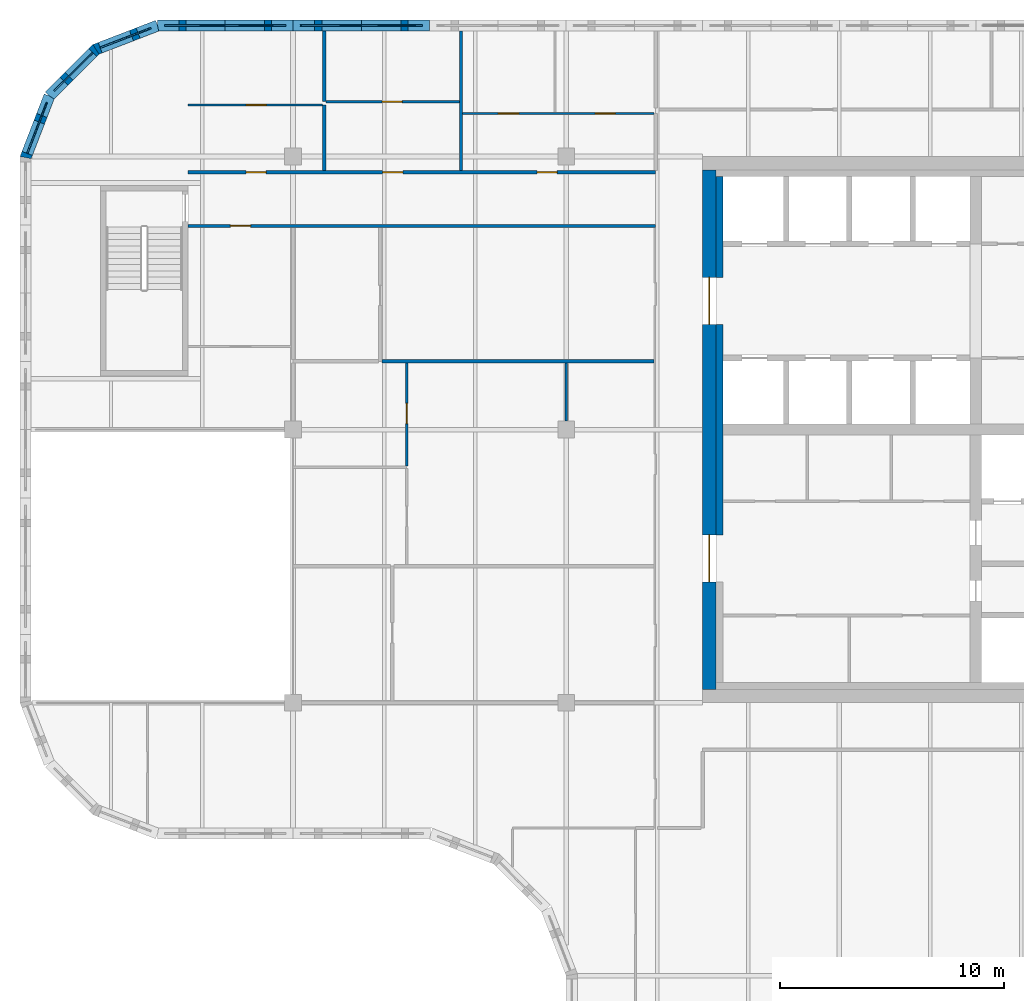
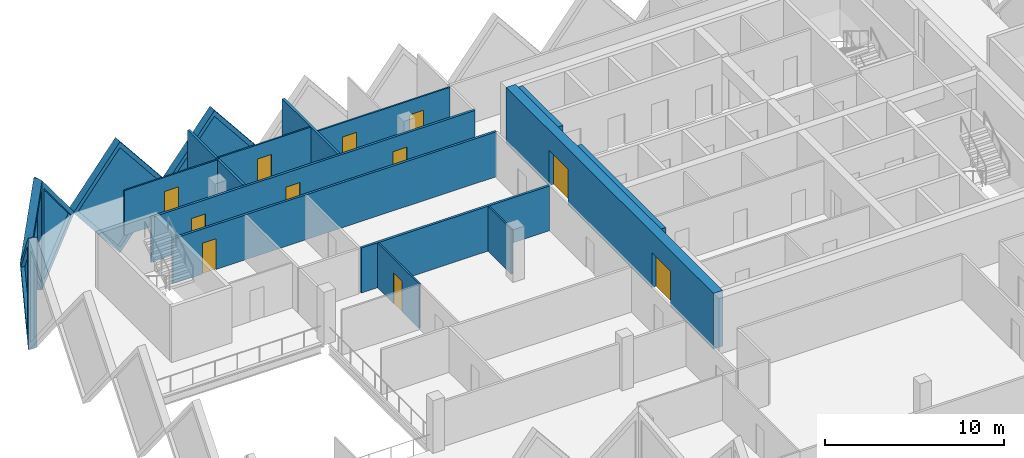
# One storey, part 7 of 11: 19 walls, 11 doors, 5 plates, 16 openings.
"""IFC4 building model written with IfcOpenShell, lengths in metres."""

from ifc_helpers import new_model, si_unit, direction, frame, frame_2d, origin, place, context, subcontext, project, spatial, polyline, rectangle, outline, extrude, faceted_brep, source, transform, mapped, material, layer, layer_set, type_object, element, fill, save


model = new_model("IFC4")

# Units and contexts
model_context = context("Model", 3, precision=1e-05, world=origin(), true_north=direction((0.0, 1.0)))
body_context = subcontext(model_context, "Body", "Model", "MODEL_VIEW")
ifc_project = project(units=[si_unit("LENGTHUNIT", "METRE"), si_unit("AREAUNIT", "SQUARE_METRE"), si_unit("VOLUMEUNIT", "CUBIC_METRE"), si_unit("PLANEANGLEUNIT", "RADIAN"), si_unit("MASSUNIT", "GRAM", prefix="KILO")], contexts=[model_context])

# Site, building, storey
site_placement = place(None, origin())
site = spatial("IfcSite", under=ifc_project, at=site_placement, CompositionType="ELEMENT")
building_placement = place(site_placement, origin())
building = spatial("IfcBuilding", under=site, at=building_placement, Name="Tessera Gate Towers", CompositionType="ELEMENT")
storey_placement = place(building_placement, frame((0.0, 0.0, 174.39990234375)))
storey = spatial("IfcBuildingStorey", under=building, at=storey_placement, Name="L43", CompositionType="ELEMENT", Elevation=174.39990234375)

# Wall, openings, doors
ifc_material_1 = material(Name="Concrete C50/60", Category="concrete")
ifc_layer_1 = layer(ifc_material_1, 0.60009765625)
ifc_layer_set_1 = layer_set([ifc_layer_1], Name="CORE SHEAR WALL 600 C50/60")
wall_type_1 = type_object("IfcWallType", Name="CORE SHEAR WALL 600 C50/60", PredefinedType="SHEAR", material=ifc_layer_set_1)
wall_1_placement = place(storey_placement, frame((30.800048828125, 25.0, 0.0), z_axis=(0.0, 0.0, 1.0), x_axis=(0.0, 1.0, 0.0)))
wall_1 = element("IfcWall", 1, at=wall_1_placement, inside=storey, type_object=wall_type_1, Name="Core wall W L43", PredefinedType="SHEAR", context=body_context, shape_type="SweptSolid", body=[
    extrude(rectangle(XDim=23.199951171875, YDim=0.60009765625, at=frame_2d((11.60009765625, 0.0))), origin(), (0.0, 0.0, 1.0), 3.800048828125),
])
shared_shape_1 = source(origin(), body_context, "Body", "SweptSolid", [
    extrude(rectangle(XDim=2.10009765625, YDim=2.39990234375, at=frame_2d((1.050048828125, 1.199951171875))), frame((0.0, 0.31005859375, 0.0), z_axis=(0.0, -1.0, 0.0), x_axis=(1.0, 0.0, 0.0)), (0.0, 0.0, 1.0), 0.6201171875),
])
opening_1_placement = place(wall_1_placement, frame((4.800048828125, 0.0, 0.0)))
opening_1 = element("IfcOpeningElement", 2, at=opening_1_placement, cuts=wall_1, Name="Opening DD-T1-27-02", PredefinedType="OPENING", context=body_context, shape_type="MappedRepresentation", body=[
    mapped(shared_shape_1, transform((0.0, 0.0, 0.0), scale=1.0)),
])
opening_2_placement = place(wall_1_placement, frame((16.300048828125, 0.0, 0.0)))
opening_2 = element("IfcOpeningElement", 3, at=opening_2_placement, cuts=wall_1, Name="Opening DD-T1-27-03", PredefinedType="OPENING", context=body_context, shape_type="MappedRepresentation", body=[
    mapped(shared_shape_1, transform((0.0, 0.0, 0.0), scale=1.0)),
])
ifc_material_2 = material(Name="Hollow steel fire door", Category="steel")
door_type_1 = type_object("IfcDoorType", Name="CORE DOOR DD 2100x2400", OperationType="NOTDEFINED", PredefinedType="DOOR", material=ifc_material_2)
shared_shape_2 = source(origin(), body_context, "Body", "SweptSolid", [
    extrude(rectangle(XDim=2.10009765625, YDim=2.39990234375, at=frame_2d((1.050048828125, 1.199951171875))), frame((0.0, 0.02490234375, 0.0), z_axis=(0.0, -1.0, 0.0), x_axis=(1.0, 0.0, 0.0)), (0.0, 0.0, 1.0), 0.050048828125),
])
door_1_placement = place(opening_1_placement, origin())
door_1 = element("IfcDoor", 4, at=door_1_placement, inside=storey, type_object=door_type_1, Name="Core entrance door", OperationType="DOUBLE_DOOR_SINGLE_SWING", OverallHeight=2.39990234375, OverallWidth=2.10009765625, PredefinedType="DOOR", context=body_context, shape_type="MappedRepresentation", body=[
    mapped(shared_shape_2, transform((0.0, 0.0, 0.0), scale=1.0)),
])
fill(opening_1, door_1)
door_2_placement = place(opening_2_placement, origin())
door_2 = element("IfcDoor", 5, at=door_2_placement, inside=storey, type_object=door_type_1, Name="Core entrance door", OperationType="DOUBLE_DOOR_SINGLE_SWING", OverallHeight=2.39990234375, OverallWidth=2.10009765625, PredefinedType="DOOR", context=body_context, shape_type="MappedRepresentation", body=[
    mapped(shared_shape_2, transform((0.0, 0.0, 0.0), scale=1.0)),
])
fill(opening_2, door_2)

# Walls
ifc_material_3 = material(Name="Concrete C50/60", Category="concrete")
ifc_layer_2 = layer(ifc_material_3, 0.300048828125)
ifc_layer_set_2 = layer_set([ifc_layer_2], Name="CORE WALL THICKENING 300")
wall_type_2 = type_object("IfcWallType", Name="CORE WALL THICKENING 300", PredefinedType="SOLIDWALL", material=ifc_layer_set_2)
wall_2_placement = place(storey_placement, frame((31.25, 31.89990234375, 0.0), z_axis=(0.0, 0.0, 1.0), x_axis=(0.0, 1.0, 0.0)))
element("IfcWall", 6, at=wall_2_placement, inside=storey, type_object=wall_type_2, Name="Core wall thickening W L43", PredefinedType="SOLIDWALL", context=body_context, shape_type="SweptSolid", body=[
    extrude(rectangle(XDim=9.400146484375, YDim=0.300048828125, at=frame_2d((4.7001953125, 0.0))), origin(), (0.0, 0.0, 1.0), 3.800048828125),
])
wall_3_placement = place(storey_placement, frame((31.25, 43.39990234375, 0.0), z_axis=(0.0, 0.0, 1.0), x_axis=(0.0, 1.0, 0.0)))
element("IfcWall", 7, at=wall_3_placement, inside=storey, type_object=wall_type_2, Name="Core wall thickening W L43", PredefinedType="SOLIDWALL", context=body_context, shape_type="SweptSolid", body=[
    extrude(rectangle(XDim=4.5, YDim=0.300048828125, at=frame_2d((2.25, 0.0))), origin(), (0.0, 0.0, 1.0), 3.800048828125),
])

# Wall, opening, door
ifc_material_4 = material(Name="Gypsum board on steel studs, mineral wool", Category="steel")
ifc_layer_3 = layer(ifc_material_4, 0.14990234375)
ifc_layer_set_3 = layer_set([ifc_layer_3], Name="CORRIDOR WALL 150")
wall_type_3 = type_object("IfcWallType", Name="CORRIDOR WALL 150", PredefinedType="PARTITIONING", material=ifc_layer_set_3)
wall_4_placement = place(storey_placement, frame((28.39990234375, 45.699951171875, 0.0), z_axis=(0.0, 0.0, 1.0), x_axis=(-1.0, 0.0, 0.0)))
wall_4 = element("IfcWall", 8, at=wall_4_placement, inside=storey, type_object=wall_type_3, Name="T1-L43-PW-040", PredefinedType="PARTITIONING", context=body_context, shape_type="SweptSolid", body=[
    extrude(rectangle(XDim=20.89990234375, YDim=0.14990234375, at=frame_2d((10.449951171875, 0.0))), origin(), (0.0, 0.0, 1.0), 3.067138671875),
])
shared_shape_3 = source(origin(), body_context, "Body", "SweptSolid", [
    extrude(rectangle(XDim=0.89990234375, YDim=2.10009765625, at=frame_2d((0.449951171875, 1.050048828125))), frame((0.0, 0.0849609375, 0.0), z_axis=(0.0, -1.0, 0.0), x_axis=(1.0, 0.0, 0.0)), (0.0, 0.0, 1.0), 0.169921875),
])
opening_3_placement = place(wall_4_placement, frame((18.10009765625, 0.0, 0.0)))
opening_3 = element("IfcOpeningElement", 9, at=opening_3_placement, cuts=wall_4, Name="Opening D890FD60-A15-02", PredefinedType="OPENING", context=body_context, shape_type="MappedRepresentation", body=[
    mapped(shared_shape_3, transform((0.0, 0.0, 0.0), scale=1.0)),
])
ifc_material_5 = material(Name="Timber door leaf in steel frame", Category="steel")
door_type_2 = type_object("IfcDoorType", Name="CORRIDOR DOOR 900 FD60", OperationType="NOTDEFINED", PredefinedType="DOOR", material=ifc_material_5)
shared_shape_4 = source(origin(), body_context, "Body", "SweptSolid", [
    extrude(rectangle(XDim=0.89990234375, YDim=2.10009765625, at=frame_2d((0.449951171875, 1.050048828125))), frame((0.0, 0.02490234375, 0.0), z_axis=(0.0, -1.0, 0.0), x_axis=(1.0, 0.0, 0.0)), (0.0, 0.0, 1.0), 0.050048828125),
])
door_3_placement = place(opening_3_placement, origin())
door_3 = element("IfcDoor", 10, at=door_3_placement, inside=storey, type_object=door_type_2, Name="T1-L43-PD-009", OperationType="SINGLE_SWING_RIGHT", OverallHeight=2.10009765625, OverallWidth=0.89990234375, PredefinedType="DOOR", context=body_context, shape_type="MappedRepresentation", body=[
    mapped(shared_shape_4, transform((0.0, 0.0, 0.0), scale=1.0)),
])
fill(opening_3, door_3)

# Wall, openings, doors
wall_5_placement = place(storey_placement, frame((7.5, 48.10009765625, 0.0), z_axis=(0.0, 0.0, 1.0), x_axis=(1.0, 0.0, 0.0)))
wall_5 = element("IfcWall", 11, at=wall_5_placement, inside=storey, type_object=wall_type_3, Name="T1-L43-PW-041", PredefinedType="PARTITIONING", context=body_context, shape_type="SweptSolid", body=[
    extrude(rectangle(XDim=20.89990234375, YDim=0.14990234375, at=frame_2d((10.449951171875, 0.0))), origin(), (0.0, 0.0, 1.0), 3.067138671875),
])
opening_4_placement = place(wall_5_placement, frame((8.700927734375, 0.0, 0.0)))
opening_4 = element("IfcOpeningElement", 12, at=opening_4_placement, cuts=wall_5, Name="Opening D890FD60-A15-04", PredefinedType="OPENING", context=body_context, shape_type="MappedRepresentation", body=[
    mapped(shared_shape_3, transform((0.0, 0.0, 0.0), scale=1.0)),
])
opening_5_placement = place(wall_5_placement, frame((2.60009765625, 0.0, 0.0)))
opening_5 = element("IfcOpeningElement", 13, at=opening_5_placement, cuts=wall_5, Name="Opening D890FD60-A15-05", PredefinedType="OPENING", context=body_context, shape_type="MappedRepresentation", body=[
    mapped(shared_shape_3, transform((0.0, 0.0, 0.0), scale=1.0)),
])
opening_6_placement = place(wall_5_placement, frame((15.60009765625, 0.0, 0.0)))
opening_6 = element("IfcOpeningElement", 14, at=opening_6_placement, cuts=wall_5, Name="Opening D890FD60-A15-07", PredefinedType="OPENING", context=body_context, shape_type="MappedRepresentation", body=[
    mapped(shared_shape_3, transform((0.0, 0.0, 0.0), scale=1.0)),
])
door_4_placement = place(opening_4_placement, origin())
door_4 = element("IfcDoor", 15, at=door_4_placement, inside=storey, type_object=door_type_2, Name="T1-L43-PD-019", OperationType="SINGLE_SWING_LEFT", OverallHeight=2.10009765625, OverallWidth=0.89990234375, PredefinedType="DOOR", context=body_context, shape_type="MappedRepresentation", body=[
    mapped(shared_shape_4, transform((0.0, 0.0, 0.0), scale=1.0)),
])
fill(opening_4, door_4)
door_5_placement = place(opening_5_placement, origin())
door_5 = element("IfcDoor", 16, at=door_5_placement, inside=storey, type_object=door_type_2, Name="T1-L43-PD-021", OperationType="SINGLE_SWING_LEFT", OverallHeight=2.10009765625, OverallWidth=0.89990234375, PredefinedType="DOOR", context=body_context, shape_type="MappedRepresentation", body=[
    mapped(shared_shape_4, transform((0.0, 0.0, 0.0), scale=1.0)),
])
fill(opening_5, door_5)
door_6_placement = place(opening_6_placement, origin())
door_6 = element("IfcDoor", 17, at=door_6_placement, inside=storey, type_object=door_type_2, Name="T1-L43-PD-024", OperationType="SINGLE_SWING_LEFT", OverallHeight=2.10009765625, OverallWidth=0.89990234375, PredefinedType="DOOR", context=body_context, shape_type="MappedRepresentation", body=[
    mapped(shared_shape_4, transform((0.0, 0.0, 0.0), scale=1.0)),
])
fill(opening_6, door_6)

# Wall, opening, door
ifc_material_6 = material(Name="Gypsum board on steel studs", Category="steel")
ifc_layer_4 = layer(ifc_material_6, 0.10009765625)
ifc_layer_set_4 = layer_set([ifc_layer_4], Name="PARTITION 100")
wall_type_4 = type_object("IfcWallType", Name="PARTITION 100", PredefinedType="PARTITIONING", material=ifc_layer_set_4)
wall_6_placement = place(storey_placement, frame((17.27490234375, 34.97119140625, 0.0), z_axis=(0.0, 0.0, 1.0), x_axis=(0.0, 1.0, 0.0)))
wall_6 = element("IfcWall", 18, at=wall_6_placement, inside=storey, type_object=wall_type_4, Name="T1-L43-PW-032", PredefinedType="PARTITIONING", context=body_context, shape_type="SweptSolid", body=[
    extrude(rectangle(XDim=4.602783203125, YDim=0.10009765625, at=frame_2d((2.30126953125, 0.0))), origin(), (0.0, 0.0, 1.0), 3.067138671875),
])
shared_shape_5 = source(origin(), body_context, "Body", "SweptSolid", [
    extrude(rectangle(XDim=0.89990234375, YDim=2.10009765625, at=frame_2d((0.449951171875, 1.050048828125))), frame((0.0, 0.06005859375, 0.0), z_axis=(0.0, -1.0, 0.0), x_axis=(1.0, 0.0, 0.0)), (0.0, 0.0, 1.0), 0.1201171875),
])
opening_7_placement = place(wall_6_placement, frame((1.89990234375, 0.0, 0.0)))
opening_7 = element("IfcOpeningElement", 19, at=opening_7_placement, cuts=wall_6, Name="Opening D190-A15-06", PredefinedType="OPENING", context=body_context, shape_type="MappedRepresentation", body=[
    mapped(shared_shape_5, transform((0.0, 0.0, 0.0), scale=1.0)),
])
ifc_material_7 = material(Name="Timber door leaf in steel frame", Category="steel")
door_type_3 = type_object("IfcDoorType", Name="INTERNAL DOOR 900 NOT RATED", OperationType="NOTDEFINED", PredefinedType="DOOR", material=ifc_material_7)
door_7_placement = place(opening_7_placement, origin())
door_7 = element("IfcDoor", 20, at=door_7_placement, inside=storey, type_object=door_type_3, Name="T1-L43-PD-007", OperationType="SINGLE_SWING_LEFT", OverallHeight=2.10009765625, OverallWidth=0.89990234375, PredefinedType="DOOR", context=body_context, shape_type="MappedRepresentation", body=[
    mapped(shared_shape_4, transform((0.0, 0.0, 0.0), scale=1.0)),
])
fill(opening_7, door_7)

# Wall
wall_7_placement = place(storey_placement, frame((24.39990234375, 36.97509765625, 0.0), z_axis=(0.0, 0.0, 1.0), x_axis=(0.0, 1.0, 0.0)))
element("IfcWall", 21, at=wall_7_placement, inside=storey, type_object=wall_type_4, Name="T1-L43-PW-034", PredefinedType="PARTITIONING", context=body_context, shape_type="SweptSolid", body=[
    extrude(rectangle(XDim=2.599853515625, YDim=0.10009765625, at=frame_2d((1.2998046875, 0.0))), origin(), (0.0, 0.0, 1.0), 3.067138671875),
])

# Wall, openings, doors
wall_8_placement = place(storey_placement, frame((19.77587890625, 50.72509765625, 0.0), z_axis=(0.0, 0.0, 1.0), x_axis=(1.0, 0.0, 0.0)))
wall_8 = element("IfcWall", 22, at=wall_8_placement, inside=storey, type_object=wall_type_4, Name="T1-L43-PW-045", PredefinedType="PARTITIONING", context=body_context, shape_type="SweptSolid", body=[
    extrude(rectangle(XDim=8.548095703125, YDim=0.10009765625, at=frame_2d((4.27392578125, 0.0))), origin(), (0.0, 0.0, 1.0), 3.067138671875),
])
opening_8_placement = place(wall_8_placement, frame((1.60009765625, 0.0, 0.0)))
opening_8 = element("IfcOpeningElement", 23, at=opening_8_placement, cuts=wall_8, Name="Opening D190-A15-01", PredefinedType="OPENING", context=body_context, shape_type="MappedRepresentation", body=[
    mapped(shared_shape_5, transform((0.0, 0.0, 0.0), scale=1.0)),
])
opening_9_placement = place(wall_8_placement, frame((5.927001953125, 0.0, 0.0)))
opening_9 = element("IfcOpeningElement", 24, at=opening_9_placement, cuts=wall_8, Name="Opening D190-A15-04", PredefinedType="OPENING", context=body_context, shape_type="MappedRepresentation", body=[
    mapped(shared_shape_5, transform((0.0, 0.0, 0.0), scale=1.0)),
])
door_8_placement = place(opening_8_placement, origin())
door_8 = element("IfcDoor", 25, at=door_8_placement, inside=storey, type_object=door_type_3, Name="T1-L43-PD-002", OperationType="SINGLE_SWING_LEFT", OverallHeight=2.10009765625, OverallWidth=0.89990234375, PredefinedType="DOOR", context=body_context, shape_type="MappedRepresentation", body=[
    mapped(shared_shape_4, transform((0.0, 0.0, 0.0), scale=1.0)),
])
fill(opening_8, door_8)
door_9_placement = place(opening_9_placement, origin())
door_9 = element("IfcDoor", 26, at=door_9_placement, inside=storey, type_object=door_type_3, Name="T1-L43-PD-005", OperationType="SINGLE_SWING_LEFT", OverallHeight=2.10009765625, OverallWidth=0.89990234375, PredefinedType="DOOR", context=body_context, shape_type="MappedRepresentation", body=[
    mapped(shared_shape_4, transform((0.0, 0.0, 0.0), scale=1.0)),
])
fill(opening_9, door_9)

# Wall, opening, door
wall_9_placement = place(storey_placement, frame((7.5, 51.10009765625, 0.0), z_axis=(0.0, 0.0, 1.0), x_axis=(1.0, 0.0, 0.0)))
wall_9 = element("IfcWall", 27, at=wall_9_placement, inside=storey, type_object=wall_type_4, Name="T1-L43-PW-050", PredefinedType="PARTITIONING", context=body_context, shape_type="SweptSolid", body=[
    extrude(rectangle(XDim=6.02392578125, YDim=0.10009765625, at=frame_2d((3.011962890625, 0.0))), origin(), (0.0, 0.0, 1.0), 3.067138671875),
])
opening_10_placement = place(wall_9_placement, frame((2.60009765625, 0.0, 0.0)))
opening_10 = element("IfcOpeningElement", 28, at=opening_10_placement, cuts=wall_9, Name="Opening D190-A15-11", PredefinedType="OPENING", context=body_context, shape_type="MappedRepresentation", body=[
    mapped(shared_shape_5, transform((0.0, 0.0, 0.0), scale=1.0)),
])
door_10_placement = place(opening_10_placement, origin())
door_10 = element("IfcDoor", 29, at=door_10_placement, inside=storey, type_object=door_type_3, Name="T1-L43-PD-017", OperationType="SINGLE_SWING_LEFT", OverallHeight=2.10009765625, OverallWidth=0.89990234375, PredefinedType="DOOR", context=body_context, shape_type="MappedRepresentation", body=[
    mapped(shared_shape_4, transform((0.0, 0.0, 0.0), scale=1.0)),
])
fill(opening_10, door_10)

wall_10_placement = place(storey_placement, frame((13.676025390625, 51.25, 0.0), z_axis=(0.0, 0.0, 1.0), x_axis=(1.0, 0.0, 0.0)))
wall_10 = element("IfcWall", 30, at=wall_10_placement, inside=storey, type_object=wall_type_4, Name="T1-L43-PW-052", PredefinedType="PARTITIONING", context=body_context, shape_type="SweptSolid", body=[
    extrude(rectangle(XDim=5.947998046875, YDim=0.10009765625, at=frame_2d((2.97412109375, 0.0))), origin(), (0.0, 0.0, 1.0), 3.067138671875),
])
opening_11_placement = place(wall_10_placement, frame((2.5, 0.0, 0.0)))
opening_11 = element("IfcOpeningElement", 31, at=opening_11_placement, cuts=wall_10, Name="Opening D190-A15-09", PredefinedType="OPENING", context=body_context, shape_type="MappedRepresentation", body=[
    mapped(shared_shape_5, transform((0.0, 0.0, 0.0), scale=1.0)),
])
door_11_placement = place(opening_11_placement, origin())
door_11 = element("IfcDoor", 32, at=door_11_placement, inside=storey, type_object=door_type_3, Name="T1-L43-PD-013", OperationType="SINGLE_SWING_LEFT", OverallHeight=2.10009765625, OverallWidth=0.89990234375, PredefinedType="DOOR", context=body_context, shape_type="MappedRepresentation", body=[
    mapped(shared_shape_4, transform((0.0, 0.0, 0.0), scale=1.0)),
])
fill(opening_11, door_11)

# Walls
ifc_material_8 = material(Name="Gypsum board on steel studs, mineral wool", Category="steel")
ifc_layer_5 = layer(ifc_material_8, 0.14990234375)
ifc_layer_set_5 = layer_set([ifc_layer_5], Name="TENANCY WALL 150")
wall_type_5 = type_object("IfcWallType", Name="TENANCY WALL 150", PredefinedType="PARTITIONING", material=ifc_layer_set_5)
wall_11_placement = place(storey_placement, frame((16.176025390625, 39.64990234375, 0.0), z_axis=(0.0, 0.0, 1.0), x_axis=(1.0, 0.0, 0.0)))
element("IfcWall", 33, at=wall_11_placement, inside=storey, type_object=wall_type_5, Name="T1-L43-PW-037", PredefinedType="PARTITIONING", context=body_context, shape_type="SweptSolid", body=[
    extrude(rectangle(XDim=12.14794921875, YDim=0.14990234375, at=frame_2d((6.073974609375, 0.0))), origin(), (0.0, 0.0, 1.0), 3.067138671875),
])
wall_12_placement = place(storey_placement, frame((13.60009765625, 48.176025390625, 0.0), z_axis=(0.0, 0.0, 1.0), x_axis=(0.0, 1.0, 0.0)))
element("IfcWall", 34, at=wall_12_placement, inside=storey, type_object=wall_type_5, Name="T1-L43-PW-042", PredefinedType="PARTITIONING", context=body_context, shape_type="SweptSolid", body=[
    extrude(rectangle(XDim=2.924072265625, YDim=0.14990234375, at=frame_2d((1.4619140625, 0.0))), origin(), (0.0, 0.0, 1.0), 3.067138671875),
])
wall_13_placement = place(storey_placement, frame((19.699951171875, 48.176025390625, 0.0), z_axis=(0.0, 0.0, 1.0), x_axis=(0.0, 1.0, 0.0)))
element("IfcWall", 35, at=wall_13_placement, inside=storey, type_object=wall_type_5, Name="T1-L43-PW-043", PredefinedType="PARTITIONING", context=body_context, shape_type="SweptSolid", body=[
    extrude(rectangle(XDim=6.223876953125, YDim=0.14990234375, at=frame_2d((3.11181640625, 0.0))), origin(), (0.0, 0.0, 1.0), 3.067138671875),
])
wall_14_placement = place(storey_placement, frame((13.60009765625, 51.25, 0.0), z_axis=(0.0, 0.0, 1.0), x_axis=(0.0, 1.0, 0.0)))
element("IfcWall", 36, at=wall_14_placement, inside=storey, type_object=wall_type_5, Name="T1-L43-PW-051", PredefinedType="PARTITIONING", context=body_context, shape_type="SweptSolid", body=[
    extrude(rectangle(XDim=3.14990234375, YDim=0.14990234375, at=frame_2d((1.574951171875, 0.0))), origin(), (0.0, 0.0, 1.0), 3.067138671875),
])

# Wall, opening, plate
ifc_material_9 = material(Name="Precast concrete C60/75 white", Category="concrete")
ifc_layer_6 = layer(ifc_material_9, 0.5)
ifc_layer_set_6 = layer_set([ifc_layer_6], Name="TS3 corner tessera")
wall_type_6 = type_object("IfcWallType", Name="TS3 corner tessera", PredefinedType="SOLIDWALL", material=ifc_layer_set_6)
shared_shape_6 = source(origin(), body_context, "Body", "Brep", [
    faceted_brep([(2.950439453125, -0.25, 0.0), (2.9970703125, -0.25, 0.05908203125), (2.9970703125, -0.25, 7.540771484375), (2.950439453125, -0.25, 7.599853515625), (0.0, -0.25, 3.7998046875), (0.052978515625, 0.25, 3.867919921875), (2.904052734375, 0.25, 7.5400390625), (2.904052734375, 0.25, 0.059814453125), (0.052978515625, 0.25, 3.731689453125), (2.950439453125, 0.00048828125, 0.0), (2.950439453125, 0.00048828125, 7.599853515625), (0.0, 0.0, 3.7998046875)], [[[0, 1, 2, 3, 4]], [[5, 6, 7, 8]], [[1, 0, 9]], [[10, 3, 2]], [[6, 5, 11, 4, 3, 10]], [[8, 7, 9, 0, 4, 11]], [[8, 11, 5]], [[1, 9, 7, 6, 10, 2]]]),
])
wall_15_placement = place(storey_placement, frame((1.31201171875, 51.50634765625, -3.7998046875), z_axis=(0.0, 0.0, 1.0), x_axis=(-0.359944998003, -0.932973525033, 0.0)))
wall_15 = element("IfcWall", 37, at=wall_15_placement, inside=storey, type_object=wall_type_6, Name="Precast corner tessera T1 TS3-0995", PredefinedType="SOLIDWALL", context=body_context, shape_type="MappedRepresentation", body=[
    mapped(shared_shape_6, transform((0.0, 0.0, 0.0), scale=1.0)),
])
shared_shape_7 = source(origin(), body_context, "Body", "SweptSolid", [
    extrude(outline(polyline([(2.75048828125, 6.9345703125), (0.31640625, 3.7998046875), (2.75048828125, 0.6650390625), (2.75048828125, 6.9345703125)])), frame((0.0, 0.260009765625, 0.0), z_axis=(0.0, -1.0, 0.0), x_axis=(1.0, 0.0, 0.0)), (0.0, 0.0, 1.0), 0.52001953125),
])
opening_12_placement = place(wall_15_placement, origin())
opening_12 = element("IfcOpeningElement", 38, at=opening_12_placement, cuts=wall_15, Name="Opening T1-PL2-1532", PredefinedType="OPENING", context=body_context, shape_type="MappedRepresentation", body=[
    mapped(shared_shape_7, transform((0.0, 0.0, 0.0), scale=1.0)),
])
ifc_material_10 = material(Name="Low-e laminated glass", Category="glass")
ifc_layer_7 = layer(ifc_material_10, 0.06005859375)
ifc_layer_set_7 = layer_set([ifc_layer_7], Name="PL2 rhombic pane")
plate_type = type_object("IfcPlateType", Name="PL2 rhombic pane", PredefinedType="SHEET", material=ifc_layer_set_7)
shared_shape_8 = source(origin(), body_context, "Body", "SweptSolid", [
    extrude(outline(polyline([(2.75048828125, 6.9345703125), (0.31640625, 3.7998046875), (2.75048828125, 0.6650390625), (2.75048828125, 6.9345703125)])), frame((0.0, 0.030029296875, 0.0), z_axis=(0.0, -1.0, 0.0), x_axis=(1.0, 0.0, 0.0)), (0.0, 0.0, 1.0), 0.06005859375),
])
plate_1_placement = place(opening_12_placement, origin())
plate_1 = element("IfcPlate", 39, at=plate_1_placement, inside=storey, type_object=plate_type, Name="Glass pane T1 PL2-1532", PredefinedType="SHEET", context=body_context, shape_type="MappedRepresentation", body=[
    mapped(shared_shape_8, transform((0.0, 0.0, 0.0), scale=1.0)),
])
fill(opening_12, plate_1)

ifc_material_11 = material(Name="Precast concrete C60/75 white", Category="concrete")
ifc_layer_8 = layer(ifc_material_11, 0.5)
ifc_layer_set_8 = layer_set([ifc_layer_8], Name="TS1 tessera")
wall_type_7 = type_object("IfcWallType", Name="TS1 tessera", PredefinedType="SOLIDWALL", material=ifc_layer_set_8)
shared_shape_9 = source(origin(), body_context, "Body", "SweptSolid", [
    extrude(outline(polyline([(3.050048828125, 0.0), (6.10009765625, 3.7998046875), (3.050048828125, 7.599853515625), (0.0, 3.7998046875), (3.050048828125, 0.0)])), frame((0.0, 0.25, 0.0), z_axis=(0.0, -1.0, 0.0), x_axis=(1.0, 0.0, 0.0)), (0.0, 0.0, 1.0), 0.5),
])
wall_16_placement = place(storey_placement, frame((18.300048828125, 54.64990234375, -3.7998046875), z_axis=(0.0, 0.0, 1.0), x_axis=(-1.0, 0.0, 0.0)))
wall_16 = element("IfcWall", 40, at=wall_16_placement, inside=storey, type_object=wall_type_7, Name="Precast tessera T1 TS1-0752", PredefinedType="SOLIDWALL", context=body_context, shape_type="MappedRepresentation", body=[
    mapped(shared_shape_9, transform((0.0, 0.0, 0.0), scale=1.0)),
])
shared_shape_10 = source(origin(), body_context, "Body", "SweptSolid", [
    extrude(outline(polyline([(3.050048828125, 0.3994140625), (5.779541015625, 3.7998046875), (3.050048828125, 7.200439453125), (0.320556640625, 3.7998046875), (3.050048828125, 0.3994140625)])), frame((0.0, 0.260009765625, 0.0), z_axis=(0.0, -1.0, 0.0), x_axis=(1.0, 0.0, 0.0)), (0.0, 0.0, 1.0), 0.52001953125),
])
opening_13_placement = place(wall_16_placement, origin())
opening_13 = element("IfcOpeningElement", 41, at=opening_13_placement, cuts=wall_16, Name="Opening T1-PL2-1528", PredefinedType="OPENING", context=body_context, shape_type="MappedRepresentation", body=[
    mapped(shared_shape_10, transform((0.0, 0.0, 0.0), scale=1.0)),
])
shared_shape_11 = source(origin(), body_context, "Body", "SweptSolid", [
    extrude(outline(polyline([(3.050048828125, 0.3994140625), (5.779541015625, 3.7998046875), (3.050048828125, 7.200439453125), (0.320556640625, 3.7998046875), (3.050048828125, 0.3994140625)])), frame((0.0, 0.030029296875, 0.0), z_axis=(0.0, -1.0, 0.0), x_axis=(1.0, 0.0, 0.0)), (0.0, 0.0, 1.0), 0.06005859375),
])
plate_2_placement = place(opening_13_placement, origin())
plate_2 = element("IfcPlate", 42, at=plate_2_placement, inside=storey, type_object=plate_type, Name="Glass pane T1 PL2-1528", PredefinedType="SHEET", context=body_context, shape_type="MappedRepresentation", body=[
    mapped(shared_shape_11, transform((0.0, 0.0, 0.0), scale=1.0)),
])
fill(opening_13, plate_2)

shared_shape_12 = source(origin(), body_context, "Body", "Brep", [
    faceted_brep([(3.050048828125, -0.25, 0.0), (6.053466796875, -0.25, 3.7998046875), (3.050048828125, -0.25, 7.599853515625), (0.0, -0.25, 3.7998046875), (0.0, 0.25, 3.7998046875), (3.050048828125, 0.25, 7.599853515625), (6.0068359375, 0.25, 3.858642578125), (6.0068359375, 0.25, 3.740966796875), (3.050048828125, 0.25, 0.0), (6.053466796875, 0.0, 3.7998046875)], [[[0, 1, 2, 3]], [[4, 5, 6, 7, 8]], [[8, 7, 9, 1, 0]], [[6, 5, 2, 1, 9]], [[5, 4, 3, 2]], [[4, 8, 0, 3]], [[9, 7, 6]]]),
])
wall_17_placement = place(storey_placement, frame((12.199951171875, 54.64990234375, -3.7998046875), z_axis=(0.0, 0.0, 1.0), x_axis=(-1.0, 0.0, 0.0)))
wall_17 = element("IfcWall", 43, at=wall_17_placement, inside=storey, type_object=wall_type_7, Name="Precast tessera T1 TS1-0753", PredefinedType="SOLIDWALL", context=body_context, shape_type="MappedRepresentation", body=[
    mapped(shared_shape_12, transform((0.0, 0.0, 0.0), scale=1.0)),
])
shared_shape_13 = source(origin(), body_context, "Body", "SweptSolid", [
    extrude(outline(polyline([(3.048583984375, 0.401123046875), (5.73486328125, 3.7998046875), (3.048583984375, 7.19873046875), (0.320556640625, 3.7998046875), (3.048583984375, 0.401123046875)])), frame((0.0, 0.260009765625, 0.0), z_axis=(0.0, -1.0, 0.0), x_axis=(1.0, 0.0, 0.0)), (0.0, 0.0, 1.0), 0.52001953125),
])
opening_14_placement = place(wall_17_placement, origin())
opening_14 = element("IfcOpeningElement", 44, at=opening_14_placement, cuts=wall_17, Name="Opening T1-PL2-1529", PredefinedType="OPENING", context=body_context, shape_type="MappedRepresentation", body=[
    mapped(shared_shape_13, transform((0.0, 0.0, 0.0), scale=1.0)),
])
shared_shape_14 = source(origin(), body_context, "Body", "SweptSolid", [
    extrude(outline(polyline([(3.048583984375, 0.401123046875), (5.73486328125, 3.7998046875), (3.048583984375, 7.19873046875), (0.320556640625, 3.7998046875), (3.048583984375, 0.401123046875)])), frame((0.0, 0.030029296875, 0.0), z_axis=(0.0, -1.0, 0.0), x_axis=(1.0, 0.0, 0.0)), (0.0, 0.0, 1.0), 0.06005859375),
])
plate_3_placement = place(opening_14_placement, origin())
plate_3 = element("IfcPlate", 45, at=plate_3_placement, inside=storey, type_object=plate_type, Name="Glass pane T1 PL2-1529", PredefinedType="SHEET", context=body_context, shape_type="MappedRepresentation", body=[
    mapped(shared_shape_14, transform((0.0, 0.0, 0.0), scale=1.0)),
])
fill(opening_14, plate_3)

shared_shape_15 = source(origin(), body_context, "Body", "Brep", [
    faceted_brep([(0.052978515625, -0.25, 0.0), (2.9970703125, -0.25, 3.7998046875), (0.052978515625, -0.25, 7.599853515625), (0.0, -0.25, 7.53173828125), (0.0, -0.25, 0.068115234375), (0.10595703125, 0.25, 7.531494140625), (2.944091796875, 0.25, 3.867919921875), (2.944091796875, 0.25, 3.731689453125), (0.10595703125, 0.25, 0.068359375), (2.9970703125, 0.000244140625, 3.7998046875), (0.052978515625, 0.0, 0.0), (0.052978515625, 0.0, 7.599853515625)], [[[0, 1, 2, 3, 4]], [[5, 6, 7, 8]], [[8, 7, 9, 1, 0, 10]], [[6, 5, 11, 2, 1, 9]], [[3, 2, 11]], [[10, 0, 4]], [[8, 10, 4, 3, 11, 5]], [[9, 7, 6]]]),
])
wall_18_placement = place(storey_placement, frame((3.43115234375, 53.62548828125, -3.7998046875), z_axis=(0.0, 0.0, 1.0), x_axis=(-0.707106781187, -0.707106781187, 0.0)))
wall_18 = element("IfcWall", 46, at=wall_18_placement, inside=storey, type_object=wall_type_6, Name="Precast corner tessera T1 TS3-0994", PredefinedType="SOLIDWALL", context=body_context, shape_type="MappedRepresentation", body=[
    mapped(shared_shape_15, transform((0.0, 0.0, 0.0), scale=1.0)),
])
shared_shape_16 = source(origin(), body_context, "Body", "SweptSolid", [
    extrude(outline(polyline([(0.2529296875, 0.666259765625), (2.680908203125, 3.7998046875), (0.2529296875, 6.93359375), (0.2529296875, 0.666259765625)])), frame((0.0, 0.260009765625, 0.0), z_axis=(0.0, -1.0, 0.0), x_axis=(1.0, 0.0, 0.0)), (0.0, 0.0, 1.0), 0.52001953125),
])
opening_15_placement = place(wall_18_placement, origin())
opening_15 = element("IfcOpeningElement", 47, at=opening_15_placement, cuts=wall_18, Name="Opening T1-PL2-1531", PredefinedType="OPENING", context=body_context, shape_type="MappedRepresentation", body=[
    mapped(shared_shape_16, transform((0.0, 0.0, 0.0), scale=1.0)),
])
shared_shape_17 = source(origin(), body_context, "Body", "SweptSolid", [
    extrude(outline(polyline([(0.2529296875, 0.666259765625), (2.680908203125, 3.7998046875), (0.2529296875, 6.93359375), (0.2529296875, 0.666259765625)])), frame((0.0, 0.030029296875, 0.0), z_axis=(0.0, -1.0, 0.0), x_axis=(1.0, 0.0, 0.0)), (0.0, 0.0, 1.0), 0.06005859375),
])
plate_4_placement = place(opening_15_placement, origin())
plate_4 = element("IfcPlate", 48, at=plate_4_placement, inside=storey, type_object=plate_type, Name="Glass pane T1 PL2-1531", PredefinedType="SHEET", context=body_context, shape_type="MappedRepresentation", body=[
    mapped(shared_shape_17, transform((0.0, 0.0, 0.0), scale=1.0)),
])
fill(opening_15, plate_4)

shared_shape_18 = source(origin(), body_context, "Body", "Brep", [
    faceted_brep([(2.950439453125, -0.25, 0.0), (3.00341796875, -0.25, 0.068359375), (3.00341796875, -0.25, 7.531494140625), (2.950439453125, -0.25, 7.599853515625), (0.0, -0.25, 3.7998046875), (0.046630859375, 0.25, 3.85986328125), (2.897705078125, 0.25, 7.53173828125), (2.897705078125, 0.25, 0.068115234375), (0.046630859375, 0.25, 3.73974609375), (2.950439453125, 0.00048828125, 0.0), (2.950439453125, 0.00048828125, 7.599853515625), (0.0, 0.0, 3.7998046875)], [[[0, 1, 2, 3, 4]], [[5, 6, 7, 8]], [[1, 0, 9]], [[10, 3, 2]], [[6, 5, 11, 4, 3, 10]], [[8, 7, 9, 0, 4, 11]], [[8, 11, 5]], [[1, 9, 7, 6, 10, 2]]]),
])
wall_19_placement = place(storey_placement, frame((6.146484375, 54.64990234375, -3.7998046875), z_axis=(0.0, 0.0, 1.0), x_axis=(-0.932997369089, -0.359883188373, 0.0)))
wall_19 = element("IfcWall", 49, at=wall_19_placement, inside=storey, type_object=wall_type_6, Name="Precast corner tessera T1 TS3-0993", PredefinedType="SOLIDWALL", context=body_context, shape_type="MappedRepresentation", body=[
    mapped(shared_shape_18, transform((0.0, 0.0, 0.0), scale=1.0)),
])
opening_16_placement = place(wall_19_placement, origin())
opening_16 = element("IfcOpeningElement", 50, at=opening_16_placement, cuts=wall_19, Name="Opening T1-PL2-1530", PredefinedType="OPENING", context=body_context, shape_type="MappedRepresentation", body=[
    mapped(shared_shape_7, transform((0.0, 0.0, 0.0), scale=1.0)),
])
plate_5_placement = place(opening_16_placement, origin())
plate_5 = element("IfcPlate", 51, at=plate_5_placement, inside=storey, type_object=plate_type, Name="Glass pane T1 PL2-1530", PredefinedType="SHEET", context=body_context, shape_type="MappedRepresentation", body=[
    mapped(shared_shape_8, transform((0.0, 0.0, 0.0), scale=1.0)),
])
fill(opening_16, plate_5)

save(model, "model.ifc")
